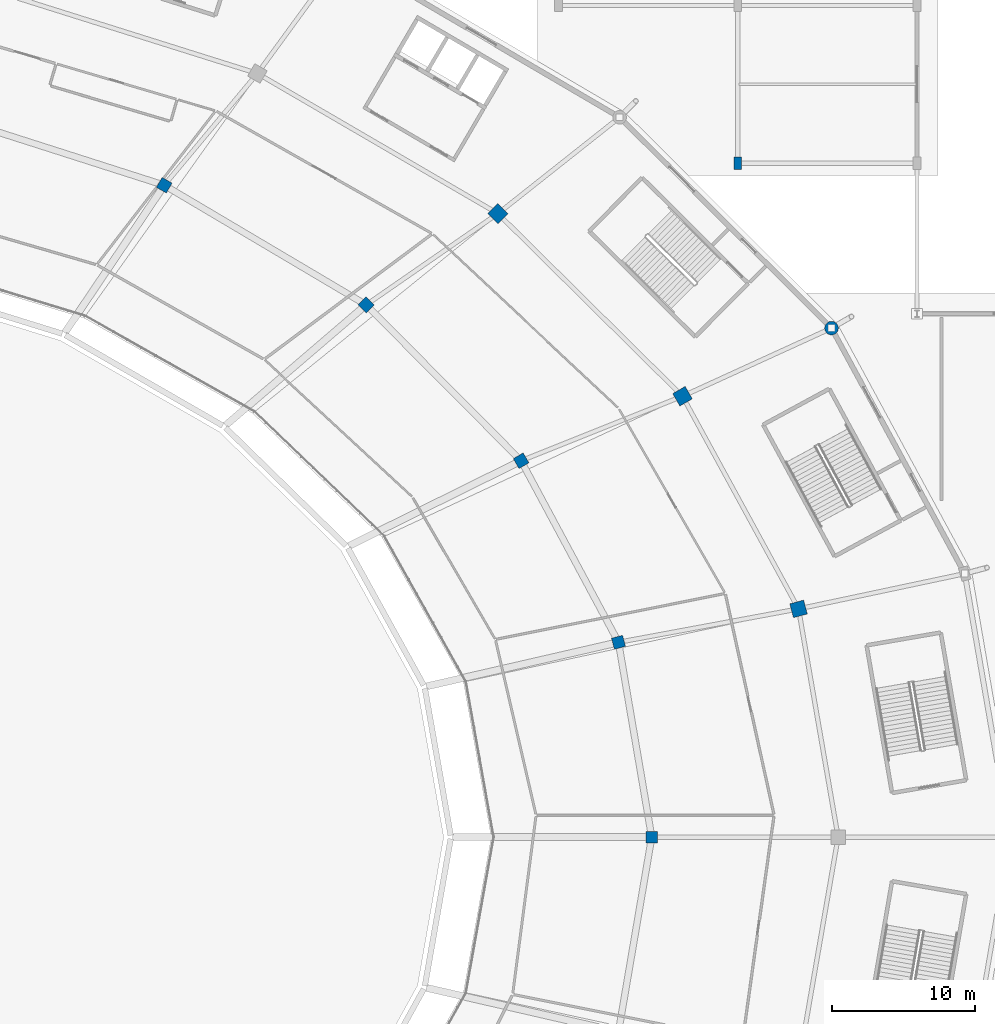
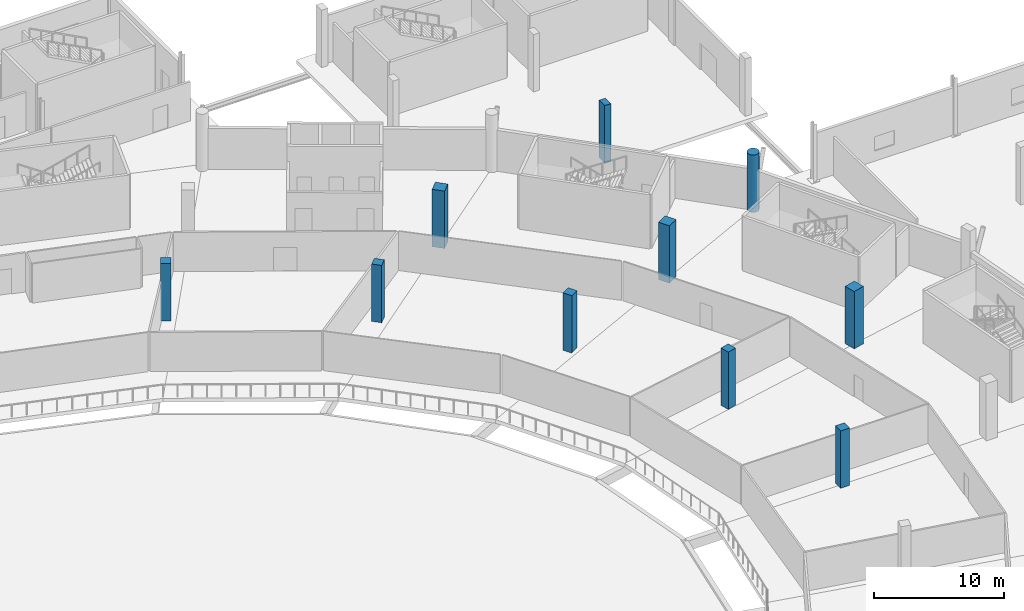
# One storey, part 14 of 82: 10 columns.
"""IFC4 building model written with IfcOpenShell, lengths in metres."""

from ifc_helpers import new_model, si_unit, direction, frame, origin, origin_2d, place, context, subcontext, project, spatial, rectangle, circle, extrude, material, material_profile, profile_set, type_object, element, save


model = new_model("IFC4")

# Units and contexts
model_context = context("Model", 3, precision=1e-05, world=origin(), true_north=direction((0.0, 1.0)))
body_context = subcontext(model_context, "Body", "Model", "MODEL_VIEW")
ifc_project = project(units=[si_unit("LENGTHUNIT", "METRE"), si_unit("AREAUNIT", "SQUARE_METRE"), si_unit("VOLUMEUNIT", "CUBIC_METRE"), si_unit("PLANEANGLEUNIT", "RADIAN"), si_unit("MASSUNIT", "GRAM", prefix="KILO")], contexts=[model_context])

# Site, building, storey
site_placement = place(None, origin())
site = spatial("IfcSite", under=ifc_project, at=site_placement, CompositionType="ELEMENT")
building_placement = place(site_placement, origin())
building = spatial("IfcBuilding", under=site, at=building_placement, Name="Zlatoyarsky Gate Stadium", CompositionType="ELEMENT")
storey_placement = place(building_placement, origin())
storey = spatial("IfcBuildingStorey", under=building, at=storey_placement, Name="L00", CompositionType="ELEMENT", Elevation=0.0)

# Columns
ifc_material = material(Name="Concrete C40/50", Category="concrete")
ifc_material_profile_1 = material_profile(ifc_material, circle(Radius=0.47509765625, at=origin_2d()), Name="RC COL D950")
ifc_profile_set_1 = profile_set([ifc_material_profile_1], Name="Concrete C40/50")
column_type_1 = type_object("IfcColumnType", Name="CONCRETE CIRCULAR COLUMN D950", PredefinedType="COLUMN", material=ifc_profile_set_1)
column_1_placement = place(storey_placement, frame((191.540283203125, 115.5, 0.0), z_axis=(0.0, 0.0, 1.0), x_axis=(0.866025403784, 0.5, 0.0)))
element("IfcColumn", 1, at=column_1_placement, inside=storey, type_object=column_type_1, Name="Column RC-CD95 RC-02 on L00", PredefinedType="COLUMN", context=body_context, shape_type="SweptSolid", body=[
    extrude(circle(Radius=0.47509765625, at=origin_2d()), origin(), (0.0, 0.0, 1.0), 5.39990234375),
])
ifc_material_profile_2 = material_profile(ifc_material, rectangle(XDim=1.0, YDim=1.0, at=origin_2d()), Name="RC COL 1000X1000")
ifc_profile_set_2 = profile_set([ifc_material_profile_2], Name="Concrete C40/50")
column_type_2 = type_object("IfcColumnType", Name="CONCRETE COLUMN 1000X1000", PredefinedType="COLUMN", material=ifc_profile_set_2)
for number, where, z_axis, x_axis, name in (
    (2, (189.239990234375, 95.91748046875, 0.0), (0.0, 0.0, 1.0), (0.965925826289, 0.258819045103, 0.0), "Column RC-C100 RB-01 on L00"),
    (3, (181.148193359375, 110.75, 0.0), (0.0, 0.0, 1.0), (0.866025403784, 0.5, 0.0), "Column RC-C100 RB-02 on L00"),
    (4, (168.275634765625, 123.487060546875, 0.0), (0.0, 0.0, 1.0), (0.707106781187, 0.707106781187, 0.0), "Column RC-C100 RB-03 on L00"),
):
    element("IfcColumn", number, at=place(storey_placement, frame(where, z_axis=z_axis, x_axis=x_axis)), inside=storey, type_object=column_type_2, Name=name, PredefinedType="COLUMN", context=body_context, shape_type="SweptSolid", body=[
        extrude(rectangle(XDim=1.0, YDim=1.0, at=origin_2d()), origin(), (0.0, 0.0, 1.0), 5.39990234375),
    ])
ifc_material_profile_3 = material_profile(ifc_material, rectangle(XDim=0.800048828125, YDim=0.800048828125, at=origin_2d()), Name="RC COL 800X800")
ifc_profile_set_3 = profile_set([ifc_material_profile_3], Name="Concrete C40/50")
column_type_3 = type_object("IfcColumnType", Name="CONCRETE COLUMN 800X800", PredefinedType="COLUMN", material=ifc_profile_set_3)
for number, where, z_axis, x_axis, name in (
    (5, (179.0, 80.0, 0.0), (0.0, 0.0, 1.0), (1.0, 0.0, 0.0), "Column RC-C80 RA-00 on L00"),
    (6, (176.68310546875, 93.587890625, 0.0), (0.0, 0.0, 1.0), (0.965925826289, 0.258819045103, 0.0), "Column RC-C80 RA-01 on L00"),
    (7, (169.8896484375, 106.25, 0.0), (0.0, 0.0, 1.0), (0.866025403784, 0.5, 0.0), "Column RC-C80 RA-02 on L00"),
    (8, (159.083251953125, 117.123046875, 0.0), (0.0, 0.0, 1.0), (0.707106781187, 0.707106781187, 0.0), "Column RC-C80 RA-03 on L00"),
    (9, (145.0, 125.46630859375, 0.0), (0.0, 0.0, 1.0), (0.5, 0.866025403784, 0.0), "Column RC-C80 RA-04 on L00"),
):
    element("IfcColumn", number, at=place(storey_placement, frame(where, z_axis=z_axis, x_axis=x_axis)), inside=storey, type_object=column_type_3, Name=name, PredefinedType="COLUMN", context=body_context, shape_type="SweptSolid", body=[
        extrude(rectangle(XDim=0.800048828125, YDim=0.800048828125, at=origin_2d()), origin(), (0.0, 0.0, 1.0), 5.39990234375),
    ])
ifc_material_profile_4 = material_profile(ifc_material, rectangle(XDim=0.550048828125, YDim=0.85009765625, at=origin_2d()), Name="RC PILASTER 550X850")
ifc_profile_set_4 = profile_set([ifc_material_profile_4], Name="Concrete C40/50")
column_type_4 = type_object("IfcColumnType", Name="CONCRETE PORTAL PILASTER 550X850", PredefinedType="PILASTER", material=ifc_profile_set_4)
column_2_placement = place(storey_placement, frame((185.0, 127.0, 0.0), z_axis=(0.0, 0.0, 1.0), x_axis=(1.0, 0.0, 0.0)))
element("IfcColumn", 10, at=column_2_placement, inside=storey, type_object=column_type_4, Name="Column RC-PL85 WG-16-M on L00", PredefinedType="PILASTER", context=body_context, shape_type="SweptSolid", body=[
    extrude(rectangle(XDim=0.550048828125, YDim=0.85009765625, at=origin_2d()), origin(), (0.0, 0.0, 1.0), 5.39990234375),
])

save(model, "model.ifc")
